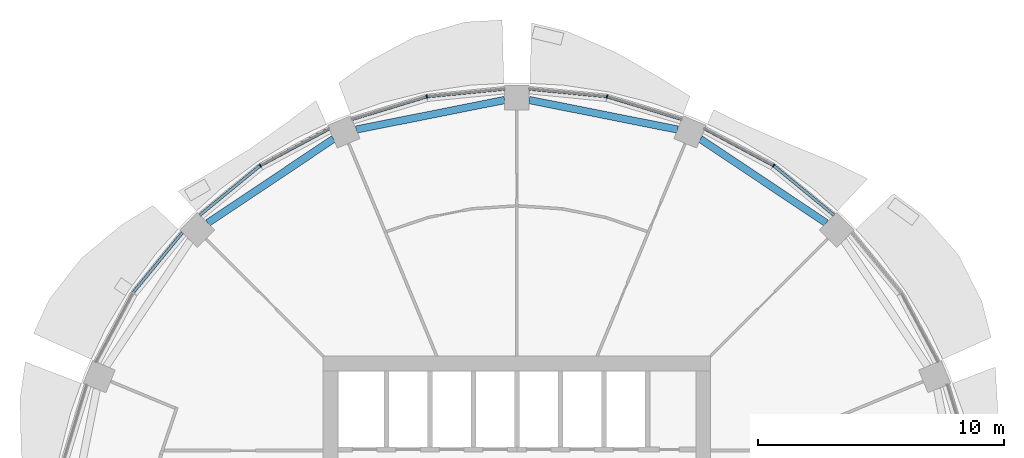
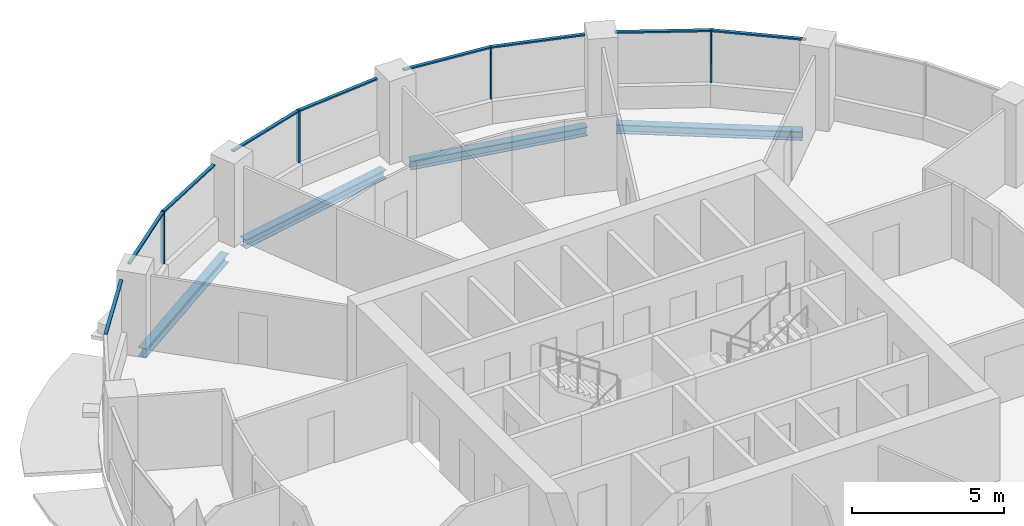
# One storey, part 6 of 15: 13 members, 4 beams, 5 elements without a shape of their own.
"""IFC4 building model written with IfcOpenShell, lengths in metres."""

from ifc_helpers import new_model, si_unit, direction, frame, origin, origin_2d, place, context, subcontext, project, spatial, rectangle, i_section, extrude, material, material_profile, profile_set, type_object, element, aggregate, save


model = new_model("IFC4")

# Units and contexts
model_context = context("Model", 3, precision=1e-05, world=origin(), true_north=direction((0.0, 1.0)))
body_context = subcontext(model_context, "Body", "Model", "MODEL_VIEW")
ifc_project = project(units=[si_unit("LENGTHUNIT", "METRE"), si_unit("AREAUNIT", "SQUARE_METRE"), si_unit("VOLUMEUNIT", "CUBIC_METRE"), si_unit("PLANEANGLEUNIT", "RADIAN"), si_unit("MASSUNIT", "GRAM", prefix="KILO")], contexts=[model_context])

# Site, building, storey
site_placement = place(None, origin())
site = spatial("IfcSite", under=ifc_project, at=site_placement, CompositionType="ELEMENT")
building_placement = place(site_placement, origin())
building = spatial("IfcBuilding", under=site, at=building_placement, Name="Polderwave Tower", CompositionType="ELEMENT")
storey_placement = place(building_placement, frame((0.0, 0.0, 134.35009765625)))
storey = spatial("IfcBuildingStorey", under=building, at=storey_placement, Name="L35", CompositionType="ELEMENT", Elevation=134.35009765625)

# Curtain wall, member
ifc_material_1 = material(Name="Aluminium 6063-T6 and glass", Category="aluminium")
curtain_wall_type = type_object("IfcCurtainWallType", Name="Office ribbon glazing wall", PredefinedType="NOTDEFINED", material=ifc_material_1)
curtain_wall_1_placement = place(storey_placement, origin())
curtain_wall_1 = element("IfcCurtainWall", 1, at=curtain_wall_1_placement, inside=storey, type_object=curtain_wall_type, Name="CW3 L35 02", PredefinedType="NOTDEFINED")
ifc_material_2 = material(Name="Aluminium 6063-T6", Category="aluminium")
ifc_material_profile_1 = material_profile(ifc_material_2, rectangle(XDim=0.139892578125, YDim=0.054931640625, at=origin_2d()), Name="AL 55x140")
ifc_profile_set_1 = profile_set([ifc_material_profile_1], Name="Aluminium 6063-T6")
member_type_1 = type_object("IfcMemberType", Name="Office ribbon glazing mullion 55x140", PredefinedType="MULLION", material=ifc_profile_set_1)
member_1_placement = place(storey_placement, frame((10.43408203125, 15.614990234375, 0.89990234375), z_axis=(0.0, 0.0, 1.0), x_axis=(-0.555657301267, -0.831411428565, 0.0)))
member_1 = element("IfcMember", 2, at=member_1_placement, type_object=member_type_1, Name="CW3 mullion 1", PredefinedType="MULLION", context=body_context, shape_type="SweptSolid", body=[
    extrude(rectangle(XDim=0.139892578125, YDim=0.054931640625, at=origin_2d()), origin(), (0.0, 0.0, 1.0), 2.10009765625),
])

curtain_wall_2_placement = place(storey_placement, origin())
curtain_wall_2 = element("IfcCurtainWall", 3, at=curtain_wall_2_placement, inside=storey, type_object=curtain_wall_type, Name="CW3 L35 03", PredefinedType="NOTDEFINED")
member_2_placement = place(storey_placement, frame((3.6640625, 18.4189453125, 0.89990234375), z_axis=(0.0, 0.0, 1.0), x_axis=(-0.195179334461, -0.980767570528, 0.0)))
member_2 = element("IfcMember", 4, at=member_2_placement, type_object=member_type_1, Name="CW3 mullion 1", PredefinedType="MULLION", context=body_context, shape_type="SweptSolid", body=[
    extrude(rectangle(XDim=0.139892578125, YDim=0.054931640625, at=origin_2d()), origin(), (0.0, 0.0, 1.0), 2.10009765625),
])

curtain_wall_3_placement = place(storey_placement, origin())
curtain_wall_3 = element("IfcCurtainWall", 5, at=curtain_wall_3_placement, inside=storey, type_object=curtain_wall_type, Name="CW3 L35 04", PredefinedType="NOTDEFINED")
member_3_placement = place(storey_placement, frame((-3.6640625, 18.4189453125, 0.89990234375), z_axis=(0.0, 0.0, 1.0), x_axis=(0.195179334461, -0.980767570528, 0.0)))
member_3 = element("IfcMember", 6, at=member_3_placement, type_object=member_type_1, Name="CW3 mullion 1", PredefinedType="MULLION", context=body_context, shape_type="SweptSolid", body=[
    extrude(rectangle(XDim=0.139892578125, YDim=0.054931640625, at=origin_2d()), origin(), (0.0, 0.0, 1.0), 2.10009765625),
])

curtain_wall_4_placement = place(storey_placement, origin())
curtain_wall_4 = element("IfcCurtainWall", 7, at=curtain_wall_4_placement, inside=storey, type_object=curtain_wall_type, Name="CW3 L35 05", PredefinedType="NOTDEFINED")
member_4_placement = place(storey_placement, frame((-10.43408203125, 15.614990234375, 0.89990234375), z_axis=(0.0, 0.0, 1.0), x_axis=(0.555657301267, -0.831411428565, 0.0)))
member_4 = element("IfcMember", 8, at=member_4_placement, type_object=member_type_1, Name="CW3 mullion 1", PredefinedType="MULLION", context=body_context, shape_type="SweptSolid", body=[
    extrude(rectangle(XDim=0.139892578125, YDim=0.054931640625, at=origin_2d()), origin(), (0.0, 0.0, 1.0), 2.10009765625),
])

# Member
ifc_material_profile_2 = material_profile(ifc_material_2, rectangle(XDim=0.1201171875, YDim=0.06005859375, at=origin_2d()), Name="AL 60x120")
ifc_profile_set_2 = profile_set([ifc_material_profile_2], Name="Aluminium 6063-T6")
member_type_2 = type_object("IfcMemberType", Name="Office ribbon glazing transom 60x120", PredefinedType="USERDEFINED", material=ifc_profile_set_2)
member_5_placement = place(storey_placement, frame((12.89111328125, 13.597900390625, 2.969970703125), z_axis=(-0.772893139863, 0.634536204131, 0.0), x_axis=(-0.634536204131, -0.772893139863, 0.0)))
member_5 = element("IfcMember", 9, at=member_5_placement, type_object=member_type_2, Name="CW3 transom 1", ObjectType="TRANSOM", PredefinedType="USERDEFINED", context=body_context, shape_type="SweptSolid", body=[
    extrude(rectangle(XDim=0.1201171875, YDim=0.06005859375, at=origin_2d()), origin(), (0.0, 0.0, 1.0), 3.151611328125),
])

member_6_placement = place(storey_placement, frame((10.40966796875, 15.6279296875, 2.969970703125), z_axis=(-0.88188725203, 0.471460363877, 0.0), x_axis=(-0.471460363877, -0.88188725203, 0.0)))
member_6 = element("IfcMember", 10, at=member_6_placement, type_object=member_type_2, Name="CW3 transom 2", ObjectType="TRANSOM", PredefinedType="USERDEFINED", context=body_context, shape_type="SweptSolid", body=[
    extrude(rectangle(XDim=0.1201171875, YDim=0.06005859375, at=origin_2d()), origin(), (0.0, 0.0, 1.0), 3.152099609375),
])

aggregate(curtain_wall_1, [member_1, member_5, member_6])

member_7_placement = place(storey_placement, frame((6.7060546875, 17.49609375, 2.969970703125), z_axis=(-0.956945534215, 0.290267539602, 0.0), x_axis=(-0.290267539602, -0.956945534215, 0.0)))
member_7 = element("IfcMember", 11, at=member_7_placement, type_object=member_type_2, Name="CW3 transom 1", ObjectType="TRANSOM", PredefinedType="USERDEFINED", context=body_context, shape_type="SweptSolid", body=[
    extrude(rectangle(XDim=0.1201171875, YDim=0.06005859375, at=origin_2d()), origin(), (0.0, 0.0, 1.0), 3.151611328125),
])

member_8_placement = place(storey_placement, frame((3.63671875, 18.421630859375, 2.969970703125), z_axis=(-0.995172762919, 0.09813853445, 0.0), x_axis=(-0.09813853445, -0.995172762919, 0.0)))
member_8 = element("IfcMember", 12, at=member_8_placement, type_object=member_type_2, Name="CW3 transom 2", ObjectType="TRANSOM", PredefinedType="USERDEFINED", context=body_context, shape_type="SweptSolid", body=[
    extrude(rectangle(XDim=0.1201171875, YDim=0.06005859375, at=origin_2d()), origin(), (0.0, 0.0, 1.0), 3.15185546875),
])

aggregate(curtain_wall_2, [member_2, member_7, member_8])

member_9_placement = place(storey_placement, frame((-0.5, 18.73095703125, 2.969970703125), z_axis=(-0.995172762919, -0.09813853445, 0.0), x_axis=(0.09813853445, -0.995172762919, 0.0)))
member_9 = element("IfcMember", 13, at=member_9_placement, type_object=member_type_2, Name="CW3 transom 1", ObjectType="TRANSOM", PredefinedType="USERDEFINED", context=body_context, shape_type="SweptSolid", body=[
    extrude(rectangle(XDim=0.1201171875, YDim=0.06005859375, at=origin_2d()), origin(), (0.0, 0.0, 1.0), 3.15185546875),
])

member_10_placement = place(storey_placement, frame((-3.690185546875, 18.410888671875, 2.969970703125), z_axis=(-0.956945534215, -0.290267539602, 0.0), x_axis=(0.290267539602, -0.956945534215, 0.0)))
member_10 = element("IfcMember", 14, at=member_10_placement, type_object=member_type_2, Name="CW3 transom 2", ObjectType="TRANSOM", PredefinedType="USERDEFINED", context=body_context, shape_type="SweptSolid", body=[
    extrude(rectangle(XDim=0.1201171875, YDim=0.06005859375, at=origin_2d()), origin(), (0.0, 0.0, 1.0), 3.151611328125),
])

aggregate(curtain_wall_3, [member_3, member_9, member_10])

member_11_placement = place(storey_placement, frame((-7.6298828125, 17.114013671875, 2.969970703125), z_axis=(-0.88188725203, -0.471460363877, 0.0), x_axis=(0.471460363877, -0.88188725203, 0.0)))
member_11 = element("IfcMember", 15, at=member_11_placement, type_object=member_type_2, Name="CW3 transom 1", ObjectType="TRANSOM", PredefinedType="USERDEFINED", context=body_context, shape_type="SweptSolid", body=[
    extrude(rectangle(XDim=0.1201171875, YDim=0.06005859375, at=origin_2d()), origin(), (0.0, 0.0, 1.0), 3.152099609375),
])

member_12_placement = place(storey_placement, frame((-10.455322265625, 15.59765625, 2.969970703125), z_axis=(-0.772893139863, -0.634536204131, 0.0), x_axis=(0.634536204131, -0.772893139863, 0.0)))
member_12 = element("IfcMember", 16, at=member_12_placement, type_object=member_type_2, Name="CW3 transom 2", ObjectType="TRANSOM", PredefinedType="USERDEFINED", context=body_context, shape_type="SweptSolid", body=[
    extrude(rectangle(XDim=0.1201171875, YDim=0.06005859375, at=origin_2d()), origin(), (0.0, 0.0, 1.0), 3.151611328125),
])

aggregate(curtain_wall_4, [member_4, member_11, member_12])

# Curtain wall, member
curtain_wall_5_placement = place(storey_placement, origin())
curtain_wall_5 = element("IfcCurtainWall", 17, at=curtain_wall_5_placement, inside=storey, type_object=curtain_wall_type, Name="CW3 L35 06", PredefinedType="NOTDEFINED")
member_13_placement = place(storey_placement, frame((-13.597900390625, 12.89111328125, 2.969970703125), z_axis=(-0.634536204131, -0.772893139863, 0.0), x_axis=(0.772893139863, -0.634536204131, 0.0)))
member_13 = element("IfcMember", 18, at=member_13_placement, type_object=member_type_2, Name="CW3 transom 1", ObjectType="TRANSOM", PredefinedType="USERDEFINED", context=body_context, shape_type="SweptSolid", body=[
    extrude(rectangle(XDim=0.1201171875, YDim=0.06005859375, at=origin_2d()), origin(), (0.0, 0.0, 1.0), 3.151611328125),
])
aggregate(curtain_wall_5, [member_13])

# Beams
ifc_material_3 = material(Name="Steel S355", Category="steel")
ifc_material_profile_3 = material_profile(ifc_material_3, i_section(OverallWidth=0.300048828125, OverallDepth=0.360107421875, WebThickness=0.012451171875, FlangeThickness=0.0224609375, at=origin_2d()), Name="HE 360 B")
ifc_profile_set_3 = profile_set([ifc_material_profile_3], Name="Steel S355")
beam_type = type_object("IfcBeamType", Name="RING BEAM HE 360 B", PredefinedType="BEAM", material=ifc_profile_set_3)
beam_1_placement = place(storey_placement, frame((12.57275390625, 13.27978515625, -0.530029296875), z_axis=(-0.831463724506, 0.555579044629, 0.0), x_axis=(-0.555579044629, -0.831463724506, 0.0)))
element("IfcBeam", 19, at=beam_1_placement, inside=storey, type_object=beam_type, Name="ST-RB-L35-02", PredefinedType="BEAM", context=body_context, shape_type="SweptSolid", body=[
    extrude(i_section(OverallWidth=0.300048828125, OverallDepth=0.360107421875, WebThickness=0.012451171875, FlangeThickness=0.0224609375, at=origin_2d()), origin(), (0.0, 0.0, 1.0), 6.152099609375),
])
for number, where, z_axis, x_axis, name in (
    (20, (6.53369140625, 17.080322265625, -0.530029296875), (-0.9807846748, 0.195093366566, 0.0), (-0.195093366566, -0.9807846748, 0.0), "ST-RB-L35-03"),
    (21, (-0.5, 18.280517578125, -0.530029296875), (-0.9807846748, -0.195093366566, 0.0), (0.195093366566, -0.9807846748, 0.0), "ST-RB-L35-04"),
):
    element("IfcBeam", number, at=place(storey_placement, frame(where, z_axis=z_axis, x_axis=x_axis)), inside=storey, type_object=beam_type, Name=name, PredefinedType="BEAM", context=body_context, shape_type="SweptSolid", body=[
        extrude(i_section(OverallWidth=0.300048828125, OverallDepth=0.360107421875, WebThickness=0.012451171875, FlangeThickness=0.0224609375, at=origin_2d()), origin(), (0.0, 0.0, 1.0), 6.15185546875),
    ])
beam_2_placement = place(storey_placement, frame((-7.45751953125, 16.69775390625, -0.530029296875), z_axis=(-0.831463724506, -0.555579044629, 0.0), x_axis=(0.555579044629, -0.831463724506, 0.0)))
element("IfcBeam", 22, at=beam_2_placement, inside=storey, type_object=beam_type, Name="ST-RB-L35-05", PredefinedType="BEAM", context=body_context, shape_type="SweptSolid", body=[
    extrude(i_section(OverallWidth=0.300048828125, OverallDepth=0.360107421875, WebThickness=0.012451171875, FlangeThickness=0.0224609375, at=origin_2d()), origin(), (0.0, 0.0, 1.0), 6.152099609375),
])

save(model, "model.ifc")
